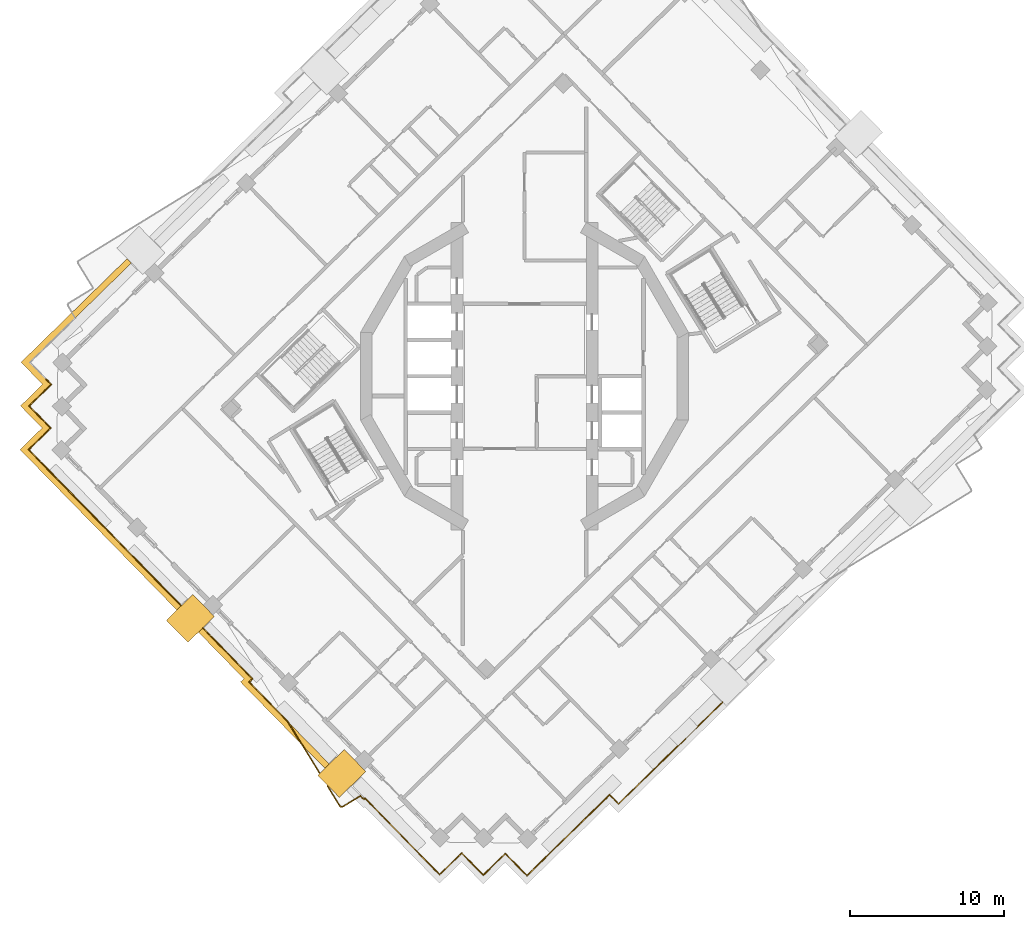
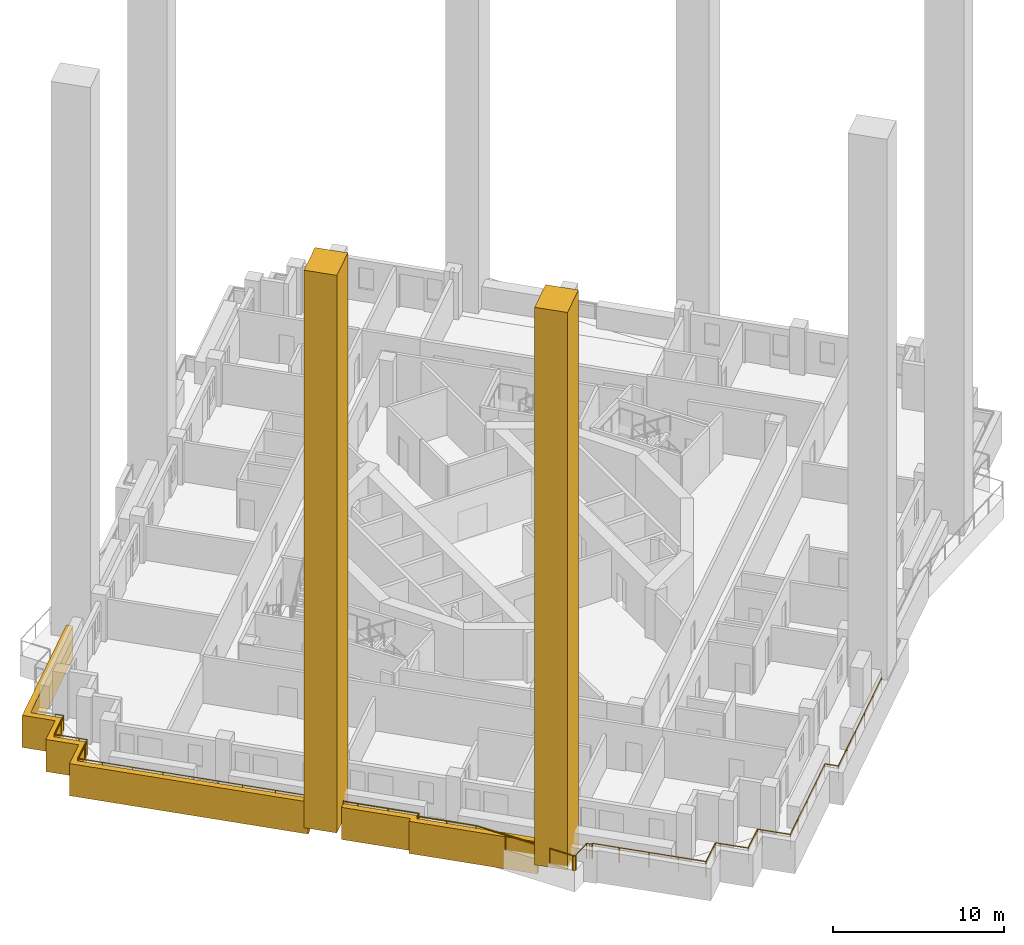
# One storey, part 11 of 17: 4 coverings, 4 railings.
"""IFC4 building model written with IfcOpenShell, lengths in metres."""

from ifc_helpers import new_model, si_unit, direction, frame, origin, origin_2d, place, context, subcontext, project, spatial, polyline, rectangle, circle, outline, extrude, material, type_object, element, save


model = new_model("IFC4")

# Units and contexts
model_context = context("Model", 3, precision=1e-05, world=origin(), true_north=direction((0.0, 1.0)))
body_context = subcontext(model_context, "Body", "Model", "MODEL_VIEW")
ifc_project = project(units=[si_unit("LENGTHUNIT", "METRE"), si_unit("AREAUNIT", "SQUARE_METRE"), si_unit("VOLUMEUNIT", "CUBIC_METRE"), si_unit("PLANEANGLEUNIT", "RADIAN"), si_unit("MASSUNIT", "GRAM", prefix="KILO")], contexts=[model_context])

# Site, building, storey
site_placement = place(None, origin())
site = spatial("IfcSite", under=ifc_project, at=site_placement, CompositionType="ELEMENT")
building_placement = place(site_placement, origin())
building = spatial("IfcBuilding", under=site, at=building_placement, Name="Cantera Rosa Tower", CompositionType="ELEMENT")
storey_placement = place(building_placement, frame((0.0, 0.0, 205.39990234375)))
storey = spatial("IfcBuildingStorey", under=building, at=storey_placement, Name="L43", CompositionType="ELEMENT", Elevation=205.39990234375)

# Railings
ifc_material_1 = material(Name="Stainless steel and laminated glass", Category="steel")
railing_type = type_object("IfcRailingType", Name="GUARD 1100", PredefinedType="BALUSTRADE", material=ifc_material_1)
railing_1_placement = place(storey_placement, frame((-11.836181640625, -27.89990234375, 0.0)))
element("IfcRailing", 1, at=railing_1_placement, inside=storey, type_object=railing_type, Name="GUARD L43-1", PredefinedType="BALUSTRADE", context=body_context, shape_type="SweptSolid", body=[
    extrude(circle(Radius=0.030029296875, at=origin_2d()), frame((0.0, 0.0, 1.070068359375), z_axis=(-1.0, 0.0, 0.0), x_axis=(0.0, -1.0, 0.0)), (0.0, 0.0, 1.0), 0.0146484375),
    extrude(circle(Radius=0.030029296875, at=origin_2d()), frame((-0.0146484375, 0.0, 1.070068359375), z_axis=(-0.996545758245, 0.083045479854, 0.0), x_axis=(-0.083045479854, -0.996545758245, 0.0)), (0.0, 0.0, 1.0), 0.0146484375),
    extrude(circle(Radius=0.030029296875, at=origin_2d()), frame((-0.029296875, 0.001220703125, 1.070068359375), z_axis=(-0.983606557377, 0.180327868852, 0.0), x_axis=(-0.180327868852, -0.983606557377, 0.0)), (0.0, 0.0, 1.0), 0.014892578125),
    extrude(circle(Radius=0.030029296875, at=origin_2d()), frame((-0.0439453125, 0.00390625, 1.070068359375), z_axis=(-0.959628543885, 0.281270435277, 0.0), x_axis=(-0.281270435277, -0.959628543885, 0.0)), (0.0, 0.0, 1.0), 0.0146484375),
    extrude(circle(Radius=0.030029296875, at=origin_2d()), frame((-0.05810546875, 0.008056640625, 1.070068359375), z_axis=(-0.93075149344, 0.365652372423, 0.0), x_axis=(-0.365652372423, -0.93075149344, 0.0)), (0.0, 0.0, 1.0), 0.0146484375),
    extrude(circle(Radius=0.030029296875, at=origin_2d()), frame((-0.07177734375, 0.013427734375, 1.070068359375), z_axis=(-0.884193384074, 0.467121033096, 0.0), x_axis=(-0.467121033096, -0.884193384074, 0.0)), (0.0, 0.0, 1.0), 0.0146484375),
    extrude(circle(Radius=0.030029296875, at=origin_2d()), frame((-0.084716796875, 0.020263671875, 1.070068359375), z_axis=(-0.839570157152, 0.543251278157, 0.0), x_axis=(-0.543251278157, -0.839570157152, 0.0)), (0.0, 0.0, 1.0), 0.014892578125),
    extrude(circle(Radius=0.030029296875, at=origin_2d()), frame((-0.09716796875, 0.0283203125, 1.070068359375), z_axis=(-0.785737878313, 0.618559606331, 0.0), x_axis=(-0.618559606331, -0.785737878313, 0.0)), (0.0, 0.0, 1.0), 0.0146484375),
    extrude(circle(Radius=0.030029296875, at=origin_2d()), frame((-0.108642578125, 0.037353515625, 1.070068359375), z_axis=(-0.715376179206, 0.698739523875, 0.0), x_axis=(-0.698739523875, -0.715376179206, 0.0)), (0.0, 0.0, 1.0), 0.0146484375),
    extrude(circle(Radius=0.030029296875, at=origin_2d()), frame((-0.119140625, 0.047607421875, 1.070068359375), z_axis=(-0.646685251635, 0.762756963467, 0.0), x_axis=(-0.762756963467, -0.646685251635, 0.0)), (0.0, 0.0, 1.0), 0.0146484375),
    extrude(circle(Radius=0.030029296875, at=origin_2d()), frame((-0.128662109375, 0.058837890625, 1.070068359375), z_axis=(-0.562310021407, 0.82692650207, 0.0), x_axis=(-0.82692650207, -0.562310021407, 0.0)), (0.0, 0.0, 1.0), 0.0146484375),
    extrude(circle(Radius=0.030029296875, at=origin_2d()), frame((-0.136962890625, 0.071044921875, 1.070068359375), z_axis=(-0.524988022652, 0.851109614604, 0.0), x_axis=(-0.851109614604, -0.524988022652, 0.0)), (0.0, 0.0, 1.0), 1.513671875),
    extrude(circle(Radius=0.02490234375, at=origin_2d()), origin(), (0.0, 0.0, 1.0), 1.0400390625),
    extrude(circle(Radius=0.02490234375, at=origin_2d()), frame((-0.0146484375, 0.0, 0.0)), (0.0, 0.0, 1.0), 1.0400390625),
    extrude(circle(Radius=0.02490234375, at=origin_2d()), frame((-0.029296875, 0.001220703125, 0.0)), (0.0, 0.0, 1.0), 1.0400390625),
    extrude(circle(Radius=0.02490234375, at=origin_2d()), frame((-0.0439453125, 0.00390625, 0.0)), (0.0, 0.0, 1.0), 1.0400390625),
    extrude(circle(Radius=0.02490234375, at=origin_2d()), frame((-0.05810546875, 0.008056640625, 0.0)), (0.0, 0.0, 1.0), 1.0400390625),
    extrude(circle(Radius=0.02490234375, at=origin_2d()), frame((-0.07177734375, 0.013427734375, 0.0)), (0.0, 0.0, 1.0), 1.0400390625),
    extrude(circle(Radius=0.02490234375, at=origin_2d()), frame((-0.084716796875, 0.020263671875, 0.0)), (0.0, 0.0, 1.0), 1.0400390625),
    extrude(circle(Radius=0.02490234375, at=origin_2d()), frame((-0.09716796875, 0.0283203125, 0.0)), (0.0, 0.0, 1.0), 1.0400390625),
    extrude(circle(Radius=0.02490234375, at=origin_2d()), frame((-0.108642578125, 0.037353515625, 0.0)), (0.0, 0.0, 1.0), 1.0400390625),
    extrude(circle(Radius=0.02490234375, at=origin_2d()), frame((-0.119140625, 0.047607421875, 0.0)), (0.0, 0.0, 1.0), 1.0400390625),
    extrude(circle(Radius=0.02490234375, at=origin_2d()), frame((-0.128662109375, 0.058837890625, 0.0)), (0.0, 0.0, 1.0), 1.0400390625),
    extrude(circle(Radius=0.02490234375, at=origin_2d()), frame((-0.136962890625, 0.071044921875, 0.0)), (0.0, 0.0, 1.0), 1.0400390625),
    extrude(circle(Radius=0.02490234375, at=origin_2d()), frame((-0.931640625, 1.359375, 0.0)), (0.0, 0.0, 1.0), 1.0400390625),
])
railing_2_placement = place(storey_placement, frame((-13.28515625, -25.70166015625, 0.0)))
element("IfcRailing", 2, at=railing_2_placement, inside=storey, type_object=railing_type, Name="GUARD L43-2", PredefinedType="BALUSTRADE", context=body_context, shape_type="SweptSolid", body=[
    extrude(circle(Radius=0.030029296875, at=origin_2d()), frame((0.0, 0.0, 1.070068359375), z_axis=(-0.525003713066, 0.851099936122, 0.0), x_axis=(-0.851099936122, -0.525003713066, 0.0)), (0.0, 0.0, 1.0), 3.921630859375),
    extrude(circle(Radius=0.030029296875, at=origin_2d()), frame((-2.058837890625, 3.337646484375, 1.070068359375), z_axis=(-0.698812818365, 0.715304581901, 0.0), x_axis=(-0.715304581901, -0.698812818365, 0.0)), (0.0, 0.0, 1.0), 3.567626953125),
    extrude(circle(Radius=0.030029296875, at=origin_2d()), frame((-4.552001953125, 5.8896484375, 1.070068359375), z_axis=(0.715095916043, 0.699026344896, 0.0), x_axis=(-0.699026344896, 0.715095916043, 0.0)), (0.0, 0.0, 1.0), 0.303955078125),
    extrude(circle(Radius=0.030029296875, at=origin_2d()), frame((-4.334716796875, 6.10205078125, 1.070068359375), z_axis=(-0.698846639302, 0.715271539163, 0.0), x_axis=(-0.715271539163, -0.698846639302, 0.0)), (0.0, 0.0, 1.0), 3.716064453125),
    extrude(circle(Radius=0.030029296875, at=origin_2d()), frame((-6.931640625, 8.760009765625, 1.070068359375), z_axis=(-0.698779602308, 0.715337030636, 0.0), x_axis=(-0.715337030636, -0.698779602308, 0.0)), (0.0, 0.0, 1.0), 0.869873046875),
    extrude(circle(Radius=0.02490234375, at=origin_2d()), origin(), (0.0, 0.0, 1.0), 1.0400390625),
    extrude(circle(Radius=0.02490234375, at=origin_2d()), frame((-1.029296875, 1.6689453125, 0.0)), (0.0, 0.0, 1.0), 1.0400390625),
    extrude(circle(Radius=0.02490234375, at=origin_2d()), frame((-2.058837890625, 3.337646484375, 0.0)), (0.0, 0.0, 1.0), 1.0400390625),
    extrude(circle(Radius=0.02490234375, at=origin_2d()), frame((-3.305419921875, 4.61376953125, 0.0)), (0.0, 0.0, 1.0), 1.0400390625),
    extrude(circle(Radius=0.02490234375, at=origin_2d()), frame((-4.552001953125, 5.8896484375, 0.0)), (0.0, 0.0, 1.0), 1.0400390625),
    extrude(circle(Radius=0.02490234375, at=origin_2d()), frame((-4.334716796875, 6.10205078125, 0.0)), (0.0, 0.0, 1.0), 1.0400390625),
    extrude(circle(Radius=0.02490234375, at=origin_2d()), frame((-5.63330078125, 7.43115234375, 0.0)), (0.0, 0.0, 1.0), 1.0400390625),
    extrude(circle(Radius=0.02490234375, at=origin_2d()), frame((-6.931640625, 8.760009765625, 0.0)), (0.0, 0.0, 1.0), 1.0400390625),
    extrude(circle(Radius=0.02490234375, at=origin_2d()), frame((-7.53955078125, 9.38232421875, 0.0)), (0.0, 0.0, 1.0), 1.0400390625),
])
railing_3_placement = place(storey_placement, frame((12.825439453125, -21.126708984375, 0.0)))
element("IfcRailing", 3, at=railing_3_placement, inside=storey, type_object=railing_type, Name="GUARD L43-3", PredefinedType="BALUSTRADE", context=body_context, shape_type="SweptSolid", body=[
    extrude(circle(Radius=0.030029296875, at=origin_2d()), frame((0.0, 0.0, 1.070068359375), z_axis=(-0.715279704792, -0.698838281659, 0.0), x_axis=(0.698838281659, -0.715279704792, 0.0)), (0.0, 0.0, 1.0), 9.414306640625),
    extrude(circle(Radius=0.030029296875, at=origin_2d()), frame((-6.73388671875, -6.5791015625, 1.070068359375), z_axis=(-0.698767714386, 0.715348643202, 0.0), x_axis=(-0.715348643202, -0.698767714386, 0.0)), (0.0, 0.0, 1.0), 0.824462890625),
    extrude(circle(Radius=0.030029296875, at=origin_2d()), frame((-7.31005859375, -5.9892578125, 1.070068359375), z_axis=(-0.715294394715, -0.698823245814, 0.0), x_axis=(0.698823245814, -0.715294394715, 0.0)), (0.0, 0.0, 1.0), 5.79541015625),
    extrude(circle(Radius=0.030029296875, at=origin_2d()), frame((-11.45556640625, -10.039306640625, 1.070068359375), z_axis=(-0.715316077832, -0.69880105094, 0.0), x_axis=(0.69880105094, -0.715316077832, 0.0)), (0.0, 0.0, 1.0), 1.699951171875),
    extrude(circle(Radius=0.030029296875, at=origin_2d()), frame((-12.671630859375, -11.227294921875, 1.070068359375), z_axis=(-0.698872839675, 0.715245939495, 0.0), x_axis=(-0.715245939495, -0.698872839675, 0.0)), (0.0, 0.0, 1.0), 1.699951171875),
    extrude(circle(Radius=0.030029296875, at=origin_2d()), frame((-13.859619140625, -10.011474609375, 1.070068359375), z_axis=(-0.698506948293, 0.715603272202, 0.0), x_axis=(-0.715603272202, -0.698506948293, 0.0)), (0.0, 0.0, 1.0), 0.2998046875),
    extrude(circle(Radius=0.030029296875, at=origin_2d()), frame((-14.069091796875, -9.796875, 1.070068359375), z_axis=(-0.715196445894, -0.698923489218, 0.0), x_axis=(0.698923489218, -0.715196445894, 0.0)), (0.0, 0.0, 1.0), 0.300048828125),
    extrude(circle(Radius=0.030029296875, at=origin_2d()), frame((-14.28369140625, -10.006591796875, 1.070068359375), z_axis=(-0.715316077832, -0.69880105094, 0.0), x_axis=(0.69880105094, -0.715316077832, 0.0)), (0.0, 0.0, 1.0), 1.699951171875),
    extrude(circle(Radius=0.030029296875, at=origin_2d()), frame((-15.499755859375, -11.194580078125, 1.070068359375), z_axis=(-0.69880105094, 0.715316077832, 0.0), x_axis=(-0.715316077832, -0.69880105094, 0.0)), (0.0, 0.0, 1.0), 1.699951171875),
    extrude(circle(Radius=0.030029296875, at=origin_2d()), frame((-16.687744140625, -9.978515625, 1.070068359375), z_axis=(-0.698923489218, 0.715196445894, 0.0), x_axis=(-0.715196445894, -0.698923489218, 0.0)), (0.0, 0.0, 1.0), 0.300048828125),
    extrude(circle(Radius=0.030029296875, at=origin_2d()), frame((-16.8974609375, -9.763916015625, 1.070068359375), z_axis=(-0.715196445894, -0.698923489218, 0.0), x_axis=(0.698923489218, -0.715196445894, 0.0)), (0.0, 0.0, 1.0), 0.300048828125),
    extrude(circle(Radius=0.030029296875, at=origin_2d()), frame((-17.112060546875, -9.9736328125, 1.070068359375), z_axis=(-0.715316077832, -0.69880105094, 0.0), x_axis=(0.69880105094, -0.715316077832, 0.0)), (0.0, 0.0, 1.0), 1.699951171875),
    extrude(circle(Radius=0.030029296875, at=origin_2d()), frame((-18.328125, -11.16162109375, 1.070068359375), z_axis=(-0.69880105094, 0.715316077832, 0.0), x_axis=(-0.715316077832, -0.69880105094, 0.0)), (0.0, 0.0, 1.0), 1.699951171875),
    extrude(circle(Radius=0.030029296875, at=origin_2d()), frame((-19.51611328125, -9.945556640625, 1.070068359375), z_axis=(-0.698829300543, 0.715288479358, 0.0), x_axis=(-0.715288479358, -0.698829300543, 0.0)), (0.0, 0.0, 1.0), 3.56005859375),
    extrude(circle(Radius=0.030029296875, at=origin_2d()), frame((-22.00390625, -7.399169921875, 1.070068359375), z_axis=(-0.813733471207, 0.581238193719, 0.0), x_axis=(-0.581238193719, -0.813733471207, 0.0)), (0.0, 0.0, 1.0), 0.00830078125),
    extrude(circle(Radius=0.030029296875, at=origin_2d()), frame((-22.0107421875, -7.394287109375, 1.070068359375), z_axis=(-0.761539389696, 0.648118629528, 0.0), x_axis=(-0.648118629528, -0.761539389696, 0.0)), (0.0, 0.0, 1.0), 0.01513671875),
    extrude(circle(Radius=0.030029296875, at=origin_2d()), frame((-22.022216796875, -7.384521484375, 1.070068359375), z_axis=(-0.690857771546, 0.722990691153, 0.0), x_axis=(-0.722990691153, -0.690857771546, 0.0)), (0.0, 0.0, 1.0), 0.01513671875),
    extrude(circle(Radius=0.030029296875, at=origin_2d()), frame((-22.03271484375, -7.37353515625, 1.070068359375), z_axis=(-0.612823519294, 0.790219801195, 0.0), x_axis=(-0.790219801195, -0.612823519294, 0.0)), (0.0, 0.0, 1.0), 0.01513671875),
    extrude(circle(Radius=0.030029296875, at=origin_2d()), frame((-22.0419921875, -7.361572265625, 1.070068359375), z_axis=(-0.581238193719, 0.813733471207, 0.0), x_axis=(-0.813733471207, -0.581238193719, 0.0)), (0.0, 0.0, 1.0), 0.004150390625),
    extrude(circle(Radius=0.030029296875, at=origin_2d()), frame((-22.04443359375, -7.358154296875, 1.070068359375), z_axis=(-0.645942241466, 0.763386285369, 0.0), x_axis=(-0.763386285369, -0.645942241466, 0.0)), (0.0, 0.0, 1.0), 0.004150390625),
    extrude(circle(Radius=0.030029296875, at=origin_2d()), frame((-22.047119140625, -7.35498046875, 1.070068359375), z_axis=(-0.698768754832, 0.715347626871, 0.0), x_axis=(-0.715347626871, -0.698768754832, 0.0)), (0.0, 0.0, 1.0), 1.59033203125),
    extrude(circle(Radius=0.030029296875, at=origin_2d()), frame((-23.158447265625, -6.21728515625, 1.070068359375), z_axis=(-0.739940073396, 0.672672793996, 0.0), x_axis=(-0.672672793996, -0.739940073396, 0.0)), (0.0, 0.0, 1.0), 0.003662109375),
    extrude(circle(Radius=0.030029296875, at=origin_2d()), frame((-23.1611328125, -6.21484375, 1.070068359375), z_axis=(-0.894427191, -0.4472135955, 0.0), x_axis=(0.4472135955, -0.894427191, 0.0)), (0.0, 0.0, 1.0), 0.00048828125),
    extrude(circle(Radius=0.030029296875, at=origin_2d()), frame((-23.16162109375, -6.215087890625, 1.070068359375), z_axis=(-0.715321289954, -0.698795715598, 0.0), x_axis=(0.698795715598, -0.715321289954, 0.0)), (0.0, 0.0, 1.0), 0.103515625),
    extrude(circle(Radius=0.030029296875, at=origin_2d()), frame((-23.235595703125, -6.287353515625, 1.070068359375), z_axis=(-0.698473954269, 0.715635476487, 0.0), x_axis=(-0.715635476487, -0.698473954269, 0.0)), (0.0, 0.0, 1.0), 0.142333984375),
    extrude(circle(Radius=0.030029296875, at=origin_2d()), frame((-23.3349609375, -6.185546875, 1.070068359375), z_axis=(-0.707106781187, 0.707106781187, 0.0), x_axis=(-0.707106781187, -0.707106781187, 0.0)), (0.0, 0.0, 1.0), 0.000244140625),
    extrude(circle(Radius=0.030029296875, at=origin_2d()), frame((-23.335205078125, -6.185302734375, 1.070068359375), z_axis=(-0.698885434985, 0.715233632295, 0.0), x_axis=(-0.715233632295, -0.698885434985, 0.0)), (0.0, 0.0, 1.0), 0.17919921875),
    extrude(circle(Radius=0.030029296875, at=origin_2d()), frame((-23.46044921875, -6.05712890625, 1.070068359375), z_axis=(-0.707106781187, 0.707106781187, 0.0), x_axis=(-0.707106781187, -0.707106781187, 0.0)), (0.0, 0.0, 1.0), 0.00341796875),
    extrude(circle(Radius=0.030029296875, at=origin_2d()), frame((-23.462890625, -6.0546875, 1.070068359375), z_axis=(-0.880471099922, -0.474099823035, 0.0), x_axis=(0.474099823035, -0.880471099922, 0.0)), (0.0, 0.0, 1.0), 0.003662109375),
    extrude(circle(Radius=0.030029296875, at=origin_2d()), frame((-23.466064453125, -6.056396484375, 1.070068359375), z_axis=(-0.851144764717, -0.524931033085, 0.0), x_axis=(0.524931033085, -0.851144764717, 0.0)), (0.0, 0.0, 1.0), 1.3232421875),
    extrude(circle(Radius=0.030029296875, at=origin_2d()), frame((-24.59228515625, -6.7509765625, 1.070068359375), z_axis=(-0.873363874328, -0.487068314529, 0.0), x_axis=(0.487068314529, -0.873363874328, 0.0)), (0.0, 0.0, 1.0), 0.0146484375),
    extrude(circle(Radius=0.030029296875, at=origin_2d()), frame((-24.60498046875, -6.758056640625, 1.070068359375), z_axis=(-0.919145030018, -0.393919298579, 0.0), x_axis=(0.393919298579, -0.919145030018, 0.0)), (0.0, 0.0, 1.0), 0.014892578125),
    extrude(circle(Radius=0.030029296875, at=origin_2d()), frame((-24.61865234375, -6.763916015625, 1.070068359375), z_axis=(-0.953582665134, -0.301131367937, 0.0), x_axis=(0.301131367937, -0.953582665134, 0.0)), (0.0, 0.0, 1.0), 0.0146484375),
    extrude(circle(Radius=0.030029296875, at=origin_2d()), frame((-24.632568359375, -6.768310546875, 1.070068359375), z_axis=(-0.976574948551, -0.215177531037, 0.0), x_axis=(0.215177531037, -0.976574948551, 0.0)), (0.0, 0.0, 1.0), 0.0146484375),
    extrude(circle(Radius=0.030029296875, at=origin_2d()), frame((-24.64697265625, -6.771484375, 1.070068359375), z_axis=(-0.993263139087, -0.11588069956, 0.0), x_axis=(0.11588069956, -0.993263139087, 0.0)), (0.0, 0.0, 1.0), 0.0146484375),
    extrude(circle(Radius=0.02490234375, at=origin_2d()), origin(), (0.0, 0.0, 1.0), 1.0400390625),
    extrude(circle(Radius=0.02490234375, at=origin_2d()), frame((-1.3466796875, -1.31591796875, 0.0)), (0.0, 0.0, 1.0), 1.0400390625),
    extrude(circle(Radius=0.02490234375, at=origin_2d()), frame((-2.693603515625, -2.631591796875, 0.0)), (0.0, 0.0, 1.0), 1.0400390625),
    extrude(circle(Radius=0.02490234375, at=origin_2d()), frame((-4.040283203125, -3.947509765625, 0.0)), (0.0, 0.0, 1.0), 1.0400390625),
    extrude(circle(Radius=0.02490234375, at=origin_2d()), frame((-5.38720703125, -5.26318359375, 0.0)), (0.0, 0.0, 1.0), 1.0400390625),
    extrude(circle(Radius=0.02490234375, at=origin_2d()), frame((-6.73388671875, -6.5791015625, 0.0)), (0.0, 0.0, 1.0), 1.0400390625),
    extrude(circle(Radius=0.02490234375, at=origin_2d()), frame((-7.31005859375, -5.9892578125, 0.0)), (0.0, 0.0, 1.0), 1.0400390625),
    extrude(circle(Radius=0.02490234375, at=origin_2d()), frame((-8.69189453125, -7.33935546875, 0.0)), (0.0, 0.0, 1.0), 1.0400390625),
    extrude(circle(Radius=0.02490234375, at=origin_2d()), frame((-10.07373046875, -8.689208984375, 0.0)), (0.0, 0.0, 1.0), 1.0400390625),
    extrude(circle(Radius=0.02490234375, at=origin_2d()), frame((-11.45556640625, -10.039306640625, 0.0)), (0.0, 0.0, 1.0), 1.0400390625),
    extrude(circle(Radius=0.02490234375, at=origin_2d()), frame((-12.671630859375, -11.227294921875, 0.0)), (0.0, 0.0, 1.0), 1.0400390625),
    extrude(circle(Radius=0.02490234375, at=origin_2d()), frame((-13.859619140625, -10.011474609375, 0.0)), (0.0, 0.0, 1.0), 1.0400390625),
    extrude(circle(Radius=0.02490234375, at=origin_2d()), frame((-14.069091796875, -9.796875, 0.0)), (0.0, 0.0, 1.0), 1.0400390625),
    extrude(circle(Radius=0.02490234375, at=origin_2d()), frame((-14.28369140625, -10.006591796875, 0.0)), (0.0, 0.0, 1.0), 1.0400390625),
    extrude(circle(Radius=0.02490234375, at=origin_2d()), frame((-15.499755859375, -11.194580078125, 0.0)), (0.0, 0.0, 1.0), 1.0400390625),
    extrude(circle(Radius=0.02490234375, at=origin_2d()), frame((-16.687744140625, -9.978515625, 0.0)), (0.0, 0.0, 1.0), 1.0400390625),
    extrude(circle(Radius=0.02490234375, at=origin_2d()), frame((-16.8974609375, -9.763916015625, 0.0)), (0.0, 0.0, 1.0), 1.0400390625),
    extrude(circle(Radius=0.02490234375, at=origin_2d()), frame((-17.112060546875, -9.9736328125, 0.0)), (0.0, 0.0, 1.0), 1.0400390625),
    extrude(circle(Radius=0.02490234375, at=origin_2d()), frame((-18.328125, -11.16162109375, 0.0)), (0.0, 0.0, 1.0), 1.0400390625),
    extrude(circle(Radius=0.02490234375, at=origin_2d()), frame((-19.51611328125, -9.945556640625, 0.0)), (0.0, 0.0, 1.0), 1.0400390625),
    extrude(circle(Radius=0.02490234375, at=origin_2d()), frame((-20.760009765625, -8.67236328125, 0.0)), (0.0, 0.0, 1.0), 1.0400390625),
    extrude(circle(Radius=0.02490234375, at=origin_2d()), frame((-22.00390625, -7.399169921875, 0.0)), (0.0, 0.0, 1.0), 1.0400390625),
    extrude(circle(Radius=0.02490234375, at=origin_2d()), frame((-22.0107421875, -7.394287109375, 0.0)), (0.0, 0.0, 1.0), 1.0400390625),
    extrude(circle(Radius=0.02490234375, at=origin_2d()), frame((-22.022216796875, -7.384521484375, 0.0)), (0.0, 0.0, 1.0), 1.0400390625),
    extrude(circle(Radius=0.02490234375, at=origin_2d()), frame((-22.03271484375, -7.37353515625, 0.0)), (0.0, 0.0, 1.0), 1.0400390625),
    extrude(circle(Radius=0.02490234375, at=origin_2d()), frame((-22.0419921875, -7.361572265625, 0.0)), (0.0, 0.0, 1.0), 1.0400390625),
    extrude(circle(Radius=0.02490234375, at=origin_2d()), frame((-22.04443359375, -7.358154296875, 0.0)), (0.0, 0.0, 1.0), 1.0400390625),
    extrude(circle(Radius=0.02490234375, at=origin_2d()), frame((-22.047119140625, -7.35498046875, 0.0)), (0.0, 0.0, 1.0), 1.0400390625),
    extrude(circle(Radius=0.02490234375, at=origin_2d()), frame((-23.158447265625, -6.21728515625, 0.0)), (0.0, 0.0, 1.0), 1.0400390625),
    extrude(circle(Radius=0.02490234375, at=origin_2d()), frame((-23.1611328125, -6.21484375, 0.0)), (0.0, 0.0, 1.0), 1.0400390625),
    extrude(circle(Radius=0.02490234375, at=origin_2d()), frame((-23.16162109375, -6.215087890625, 0.0)), (0.0, 0.0, 1.0), 1.0400390625),
    extrude(circle(Radius=0.02490234375, at=origin_2d()), frame((-23.235595703125, -6.287353515625, 0.0)), (0.0, 0.0, 1.0), 1.0400390625),
    extrude(circle(Radius=0.02490234375, at=origin_2d()), frame((-23.3349609375, -6.185546875, 0.0)), (0.0, 0.0, 1.0), 1.0400390625),
    extrude(circle(Radius=0.02490234375, at=origin_2d()), frame((-23.335205078125, -6.185302734375, 0.0)), (0.0, 0.0, 1.0), 1.0400390625),
    extrude(circle(Radius=0.02490234375, at=origin_2d()), frame((-23.46044921875, -6.05712890625, 0.0)), (0.0, 0.0, 1.0), 1.0400390625),
    extrude(circle(Radius=0.02490234375, at=origin_2d()), frame((-23.462890625, -6.0546875, 0.0)), (0.0, 0.0, 1.0), 1.0400390625),
    extrude(circle(Radius=0.02490234375, at=origin_2d()), frame((-23.466064453125, -6.056396484375, 0.0)), (0.0, 0.0, 1.0), 1.0400390625),
    extrude(circle(Radius=0.02490234375, at=origin_2d()), frame((-24.59228515625, -6.7509765625, 0.0)), (0.0, 0.0, 1.0), 1.0400390625),
    extrude(circle(Radius=0.02490234375, at=origin_2d()), frame((-24.60498046875, -6.758056640625, 0.0)), (0.0, 0.0, 1.0), 1.0400390625),
    extrude(circle(Radius=0.02490234375, at=origin_2d()), frame((-24.61865234375, -6.763916015625, 0.0)), (0.0, 0.0, 1.0), 1.0400390625),
    extrude(circle(Radius=0.02490234375, at=origin_2d()), frame((-24.632568359375, -6.768310546875, 0.0)), (0.0, 0.0, 1.0), 1.0400390625),
    extrude(circle(Radius=0.02490234375, at=origin_2d()), frame((-24.64697265625, -6.771484375, 0.0)), (0.0, 0.0, 1.0), 1.0400390625),
    extrude(circle(Radius=0.02490234375, at=origin_2d()), frame((-24.66162109375, -6.773193359375, 0.0)), (0.0, 0.0, 1.0), 1.0400390625),
])
railing_4_placement = place(storey_placement, frame((-22.26416015625, -14.845703125, 0.0)))
element("IfcRailing", 4, at=railing_4_placement, inside=storey, type_object=railing_type, Name="GUARD L43-5", PredefinedType="BALUSTRADE", context=body_context, shape_type="SweptSolid", body=[
    extrude(circle(Radius=0.030029296875, at=origin_2d()), frame((0.0, 0.0, 1.070068359375), z_axis=(-0.700106234421, 0.714038696798, 0.0), x_axis=(-0.714038696798, -0.700106234421, 0.0)), (0.0, 0.0, 1.0), 0.070068359375),
    extrude(circle(Radius=0.030029296875, at=origin_2d()), frame((-0.049072265625, 0.050048828125, 1.070068359375), z_axis=(-0.698829866575, 0.715287926351, 0.0), x_axis=(-0.715287926351, -0.698829866575, 0.0)), (0.0, 0.0, 1.0), 4.02001953125),
    extrude(circle(Radius=0.030029296875, at=origin_2d()), frame((-2.8583984375, 2.925537109375, 1.070068359375), z_axis=(-0.698839281014, 0.715278728407, 0.0), x_axis=(-0.715278728407, -0.698839281014, 0.0)), (0.0, 0.0, 1.0), 3.0),
    extrude(circle(Radius=0.030029296875, at=origin_2d()), frame((-4.954833984375, 5.0712890625, 1.070068359375), z_axis=(-0.698810055914, 0.715307280652, 0.0), x_axis=(-0.715307280652, -0.698810055914, 0.0)), (0.0, 0.0, 1.0), 5.52001953125),
    extrude(circle(Radius=0.030029296875, at=origin_2d()), frame((-8.812255859375, 9.019775390625, 1.070068359375), z_axis=(-0.698921594874, 0.71519829713, 0.0), x_axis=(-0.71519829713, -0.698921594874, 0.0)), (0.0, 0.0, 1.0), 1.5),
    extrude(circle(Radius=0.030029296875, at=origin_2d()), frame((-9.860595703125, 10.092529296875, 1.070068359375), z_axis=(0.715277793538, 0.698840237873, 0.0), x_axis=(-0.698840237873, 0.715277793538, 0.0)), (0.0, 0.0, 1.0), 1.5),
    extrude(circle(Radius=0.030029296875, at=origin_2d()), frame((-8.78759765625, 11.140869140625, 1.070068359375), z_axis=(0.715359149995, 0.698756958118, 0.0), x_axis=(-0.698756958118, 0.715359149995, 0.0)), (0.0, 0.0, 1.0), 0.5),
    extrude(circle(Radius=0.030029296875, at=origin_2d()), frame((-8.429931640625, 11.490234375, 1.070068359375), z_axis=(-0.699006712162, 0.715115107065, 0.0), x_axis=(-0.715115107065, -0.699006712162, 0.0)), (0.0, 0.0, 1.0), 0.500244140625),
    extrude(circle(Radius=0.030029296875, at=origin_2d()), frame((-8.779541015625, 11.847900390625, 1.070068359375), z_axis=(-0.698756958118, 0.715359149995, 0.0), x_axis=(-0.715359149995, -0.698756958118, 0.0)), (0.0, 0.0, 1.0), 1.5),
    extrude(circle(Radius=0.030029296875, at=origin_2d()), frame((-9.82763671875, 12.9208984375, 1.070068359375), z_axis=(0.71519829713, 0.698921594874, 0.0), x_axis=(-0.698921594874, 0.71519829713, 0.0)), (0.0, 0.0, 1.0), 1.5),
    extrude(circle(Radius=0.030029296875, at=origin_2d()), frame((-8.7548828125, 13.96923828125, 1.070068359375), z_axis=(0.715359149995, 0.698756958118, 0.0), x_axis=(-0.698756958118, 0.715359149995, 0.0)), (0.0, 0.0, 1.0), 0.5),
    extrude(circle(Radius=0.030029296875, at=origin_2d()), frame((-8.397216796875, 14.318603515625, 1.070068359375), z_axis=(-0.698756958118, 0.715359149995, 0.0), x_axis=(-0.715359149995, -0.698756958118, 0.0)), (0.0, 0.0, 1.0), 0.5),
    extrude(circle(Radius=0.02490234375, at=origin_2d()), origin(), (0.0, 0.0, 1.0), 1.0400390625),
    extrude(circle(Radius=0.02490234375, at=origin_2d()), frame((-0.049072265625, 0.050048828125, 0.0)), (0.0, 0.0, 1.0), 1.0400390625),
    extrude(circle(Radius=0.02490234375, at=origin_2d()), frame((-1.45361328125, 1.48779296875, 0.0)), (0.0, 0.0, 1.0), 1.0400390625),
    extrude(circle(Radius=0.02490234375, at=origin_2d()), frame((-2.8583984375, 2.925537109375, 0.0)), (0.0, 0.0, 1.0), 1.0400390625),
    extrude(circle(Radius=0.02490234375, at=origin_2d()), frame((-3.90673828125, 3.99853515625, 0.0)), (0.0, 0.0, 1.0), 1.0400390625),
    extrude(circle(Radius=0.02490234375, at=origin_2d()), frame((-4.954833984375, 5.0712890625, 0.0)), (0.0, 0.0, 1.0), 1.0400390625),
    extrude(circle(Radius=0.02490234375, at=origin_2d()), frame((-6.24072265625, 6.387451171875, 0.0)), (0.0, 0.0, 1.0), 1.0400390625),
    extrude(circle(Radius=0.02490234375, at=origin_2d()), frame((-7.5263671875, 7.70361328125, 0.0)), (0.0, 0.0, 1.0), 1.0400390625),
    extrude(circle(Radius=0.02490234375, at=origin_2d()), frame((-8.812255859375, 9.019775390625, 0.0)), (0.0, 0.0, 1.0), 1.0400390625),
    extrude(circle(Radius=0.02490234375, at=origin_2d()), frame((-9.860595703125, 10.092529296875, 0.0)), (0.0, 0.0, 1.0), 1.0400390625),
    extrude(circle(Radius=0.02490234375, at=origin_2d()), frame((-8.78759765625, 11.140869140625, 0.0)), (0.0, 0.0, 1.0), 1.0400390625),
    extrude(circle(Radius=0.02490234375, at=origin_2d()), frame((-8.429931640625, 11.490234375, 0.0)), (0.0, 0.0, 1.0), 1.0400390625),
    extrude(circle(Radius=0.02490234375, at=origin_2d()), frame((-8.779541015625, 11.847900390625, 0.0)), (0.0, 0.0, 1.0), 1.0400390625),
    extrude(circle(Radius=0.02490234375, at=origin_2d()), frame((-9.82763671875, 12.9208984375, 0.0)), (0.0, 0.0, 1.0), 1.0400390625),
    extrude(circle(Radius=0.02490234375, at=origin_2d()), frame((-8.7548828125, 13.96923828125, 0.0)), (0.0, 0.0, 1.0), 1.0400390625),
    extrude(circle(Radius=0.02490234375, at=origin_2d()), frame((-8.397216796875, 14.318603515625, 0.0)), (0.0, 0.0, 1.0), 1.0400390625),
    extrude(circle(Radius=0.02490234375, at=origin_2d()), frame((-8.74658203125, 14.67626953125, 0.0)), (0.0, 0.0, 1.0), 1.0400390625),
])

# Coverings
ifc_material_2 = material(Name="Cantera stone", Category="masonry")
covering_type_1 = type_object("IfcCoveringType", Name="STONE FIN 2000x2400", PredefinedType="CLADDING", material=ifc_material_2)
for number, where, z_axis, x_axis, name in (
    (5, (-21.65185546875, -15.687255859375, -0.2998046875), (0.0, 0.0, 1.0), (0.698831540364, -0.71528629107, 0.0), "STONE FIN FN-Z4-07"),
    (6, (-11.840087890625, -25.72998046875, -0.2998046875), (0.0, 0.0, 1.0), (0.698831540364, -0.71528629107, 0.0), "STONE FIN FN-Z4-08"),
):
    element("IfcCovering", number, at=place(storey_placement, frame(where, z_axis=z_axis, x_axis=x_axis)), inside=storey, type_object=covering_type_1, Name=name, PredefinedType="CLADDING", context=body_context, shape_type="SweptSolid", body=[
        extrude(rectangle(XDim=2.0, YDim=2.39990234375, at=origin_2d()), origin(), (0.0, 0.0, 1.0), 39.89990234375),
    ])
ifc_material_3 = material(Name="Cantera stone", Category="masonry")
covering_type_2 = type_object("IfcCoveringType", Name="TRAY FASCIA 400", PredefinedType="CLADDING", material=ifc_material_3)
covering_1_placement = place(storey_placement, frame((0.0, 0.0, -1.39990234375)))
element("IfcCovering", 7, at=covering_1_placement, inside=storey, type_object=covering_type_2, Name="TRAY FASCIA L43-01", PredefinedType="CLADDING", context=body_context, shape_type="SweptSolid", body=[
    extrude(outline(polyline([(-22.599365234375, -15.0751953125), (-25.40869140625, -12.19970703125), (-27.505126953125, -10.053955078125), (-31.362548828125, -6.10546875), (-32.6904296875, -4.74658203125), (-31.331298828125, -3.418701171875), (-31.259765625, -3.348876953125), (-31.329833984375, -3.27734375), (-32.657470703125, -1.918212890625), (-31.298583984375, -0.590576171875), (-31.22705078125, -0.5205078125), (-32.62451171875, 0.909912109375), (-31.265625, 2.23779296875), (-26.38720703125, 7.00390625), (-25.750732421875, 7.625732421875), (-25.47119140625, 7.339599609375), (-26.107666015625, 6.7177734375), (-30.986083984375, 1.95166015625), (-32.058837890625, 0.9033203125), (-31.0107421875, -0.16943359375), (-30.661376953125, -0.527099609375), (-31.01904296875, -0.87646484375), (-32.091796875, -1.9248046875), (-31.043701171875, -2.997802734375), (-30.694091796875, -3.35546875), (-31.0517578125, -3.704833984375), (-32.124755859375, -4.753173828125), (-31.076416015625, -5.825927734375), (-27.218994140625, -9.7744140625), (-25.12255859375, -11.920166015625), (-22.313232421875, -14.795654296875), (-22.250244140625, -14.860107421875), (-22.536376953125, -15.1396484375), (-22.599365234375, -15.0751953125)])), origin(), (0.0, 0.0, 1.0), 2.300048828125),
])
covering_2_placement = place(storey_placement, frame((0.0, 0.0, -1.39990234375)))
element("IfcCovering", 8, at=covering_2_placement, inside=storey, type_object=covering_type_2, Name="TRAY FASCIA L43-02", PredefinedType="CLADDING", context=body_context, shape_type="SweptSolid", body=[
    extrude(outline(polyline([(-18.40283203125, -19.805419921875), (-18.185546875, -19.593017578125), (-20.502685546875, -17.22119140625), (-21.124755859375, -16.58447265625), (-20.838623046875, -16.304931640625), (-20.216796875, -16.941650390625), (-17.619873046875, -19.599609375), (-17.837158203125, -19.81201171875), (-12.656005859375, -25.114990234375), (-12.942138671875, -25.39453125), (-18.40283203125, -19.805419921875)])), origin(), (0.0, 0.0, 1.0), 2.300048828125),
])

save(model, "model.ifc")
